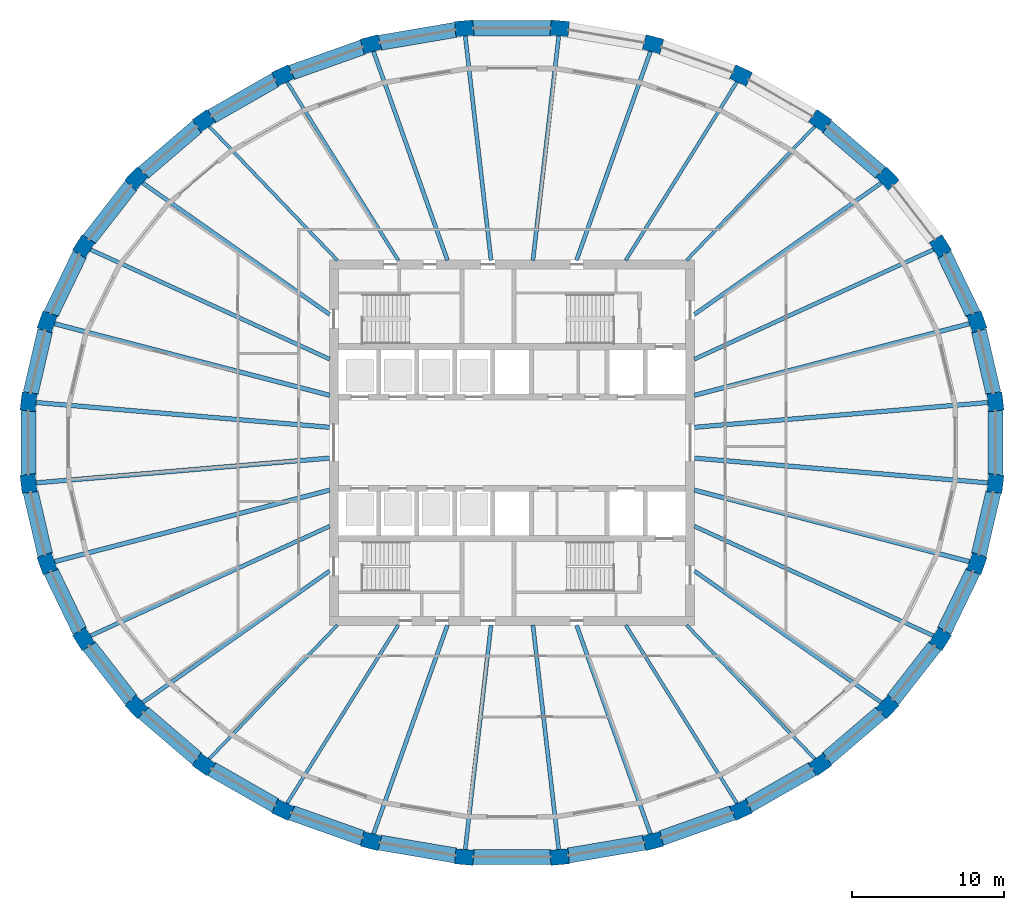
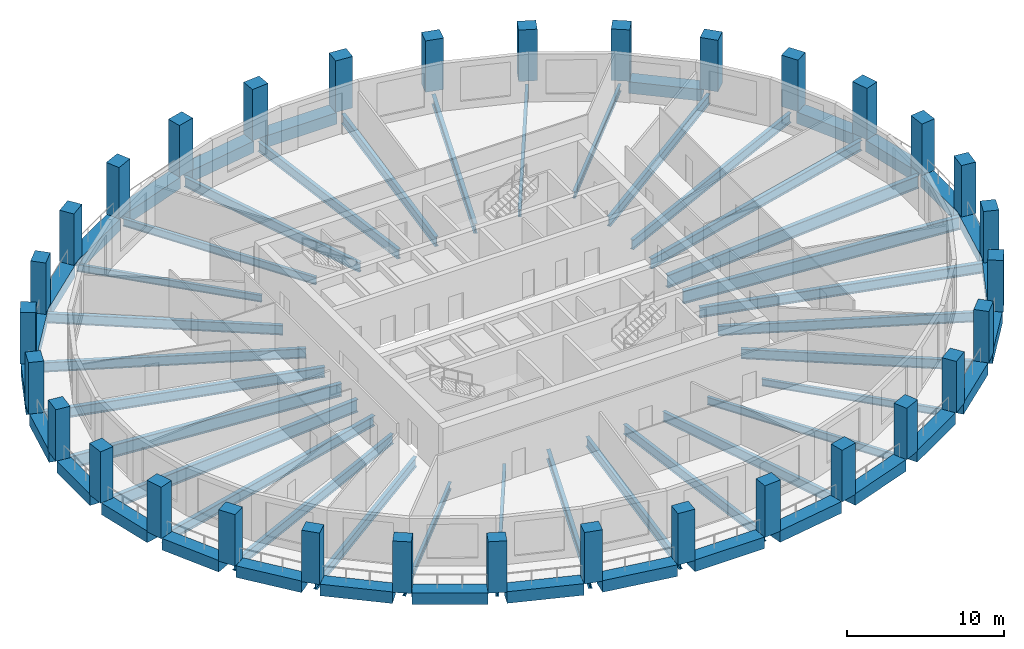
# One storey, part 1 of 11: 60 beams, 32 columns.
"""IFC4 building model written with IfcOpenShell, lengths in metres."""

from ifc_helpers import new_model, si_unit, direction, frame, origin, origin_2d, place, context, subcontext, project, spatial, rectangle, i_section, extrude, material, material_profile, profile_set, type_object, element, save


model = new_model("IFC4")

# Units and contexts
model_context = context("Model", 3, precision=1e-05, world=origin(), true_north=direction((0.0, 1.0)))
body_context = subcontext(model_context, "Body", "Model", "MODEL_VIEW")
ifc_project = project(units=[si_unit("LENGTHUNIT", "METRE"), si_unit("AREAUNIT", "SQUARE_METRE"), si_unit("VOLUMEUNIT", "CUBIC_METRE"), si_unit("PLANEANGLEUNIT", "RADIAN"), si_unit("MASSUNIT", "GRAM", prefix="KILO")], contexts=[model_context])

# Site, building, storey
site_placement = place(None, origin())
site = spatial("IfcSite", under=ifc_project, at=site_placement, CompositionType="ELEMENT")
building_placement = place(site_placement, origin())
building = spatial("IfcBuilding", under=site, at=building_placement, Name="Halqa Exchange Tower", CompositionType="ELEMENT")
storey_placement = place(building_placement, frame((0.0, 0.0, 218.89990234375)))
storey = spatial("IfcBuildingStorey", under=building, at=storey_placement, Name="L50", CompositionType="ELEMENT", Elevation=218.89990234375)

# Columns
ifc_material_1 = material(Name="Concrete C60/75", Category="concrete")
ifc_material_profile_1 = material_profile(ifc_material_1, rectangle(XDim=1.199951171875, YDim=1.0, at=origin_2d()), Name="1200 x 1000")
ifc_profile_set_1 = profile_set([ifc_material_profile_1], Name="Concrete C60/75")
column_type = type_object("IfcColumnType", Name="RC ring column 1200 x 1000 C60/75", PredefinedType="COLUMN", material=ifc_profile_set_1)
for number, where, z_axis, x_axis, name in (
    (1, (31.7412109375, 2.6796875, 0.0), (0.0, 0.0, 1.0), (-0.114156921978, 0.993462730637, 0.0), "Ring column 1"),
    (2, (30.521240234375, 7.935791015625, 0.0), (0.0, 0.0, 1.0), (-0.333625878908, 0.942705560036, 0.0), "Ring column 2"),
    (3, (28.128662109375, 12.88720703125, 0.0), (0.0, 0.0, 1.0), (-0.529144939165, 0.848531456904, 0.0), "Ring column 3"),
    (4, (24.65478515625, 17.34326171875, 0.0), (0.0, 0.0, 1.0), (-0.691574830638, 0.722304820438, 0.0), "Ring column 4"),
    (5, (20.23388671875, 21.1328125, 0.0), (0.0, 0.0, 1.0), (-0.817905775493, 0.575352189893, 0.0), "Ring column 5"),
    (6, (15.03515625, 24.110107421875, 0.0), (0.0, 0.0, 1.0), (-0.909129276708, 0.416514055265, 0.0), "Ring column 6"),
    (7, (9.258544921875, 26.1611328125, 0.0), (0.0, 0.0, 1.0), (-0.967818625157, 0.251648780643, 0.0), "Ring column 7"),
    (8, (3.126220703125, 27.206787109375, 0.0), (0.0, 0.0, 1.0), (-0.996454931683, 0.084128289675, 0.0), "Ring column 8"),
    (9, (-3.126220703125, 27.206787109375, 0.0), (0.0, 0.0, 1.0), (-0.996454931683, -0.084128289675, 0.0), "Ring column 9"),
    (10, (-9.258544921875, 26.1611328125, 0.0), (0.0, 0.0, 1.0), (-0.967818625157, -0.251648780643, 0.0), "Ring column 10"),
    (11, (-15.03515625, 24.110107421875, 0.0), (0.0, 0.0, 1.0), (-0.909129276708, -0.416514055265, 0.0), "Ring column 11"),
    (12, (-20.23388671875, 21.1328125, 0.0), (0.0, 0.0, 1.0), (-0.817905775493, -0.575352189893, 0.0), "Ring column 12"),
    (13, (-24.65478515625, 17.34326171875, 0.0), (0.0, 0.0, 1.0), (-0.691574830638, -0.722304820438, 0.0), "Ring column 13"),
    (14, (-28.128662109375, 12.88720703125, 0.0), (0.0, 0.0, 1.0), (-0.529144939165, -0.848531456904, 0.0), "Ring column 14"),
    (15, (-30.521240234375, 7.935791015625, 0.0), (0.0, 0.0, 1.0), (-0.333625878908, -0.942705560036, 0.0), "Ring column 15"),
    (16, (-31.7412109375, 2.6796875, 0.0), (0.0, 0.0, 1.0), (-0.114156921978, -0.993462730637, 0.0), "Ring column 16"),
    (17, (-31.7412109375, -2.6796875, 0.0), (0.0, 0.0, 1.0), (0.114156921978, -0.993462730637, 0.0), "Ring column 17"),
    (18, (-30.521240234375, -7.935791015625, 0.0), (0.0, 0.0, 1.0), (0.333625878908, -0.942705560036, 0.0), "Ring column 18"),
    (19, (-28.128662109375, -12.88720703125, 0.0), (0.0, 0.0, 1.0), (0.529144939165, -0.848531456904, 0.0), "Ring column 19"),
    (20, (-24.65478515625, -17.34326171875, 0.0), (0.0, 0.0, 1.0), (0.691574830638, -0.722304820438, 0.0), "Ring column 20"),
    (21, (-20.23388671875, -21.1328125, 0.0), (0.0, 0.0, 1.0), (0.817905775493, -0.575352189893, 0.0), "Ring column 21"),
    (22, (-15.03515625, -24.110107421875, 0.0), (0.0, 0.0, 1.0), (0.909129276708, -0.416514055265, 0.0), "Ring column 22"),
    (23, (-9.258544921875, -26.1611328125, 0.0), (0.0, 0.0, 1.0), (0.967818625157, -0.251648780643, 0.0), "Ring column 23"),
    (24, (-3.126220703125, -27.206787109375, 0.0), (0.0, 0.0, 1.0), (0.996454931683, -0.084128289675, 0.0), "Ring column 24"),
    (25, (3.126220703125, -27.206787109375, 0.0), (0.0, 0.0, 1.0), (0.996454931683, 0.084128289675, 0.0), "Ring column 25"),
    (26, (9.258544921875, -26.1611328125, 0.0), (0.0, 0.0, 1.0), (0.967818625157, 0.251648780643, 0.0), "Ring column 26"),
    (27, (15.03515625, -24.110107421875, 0.0), (0.0, 0.0, 1.0), (0.909129276708, 0.416514055265, 0.0), "Ring column 27"),
    (28, (20.23388671875, -21.1328125, 0.0), (0.0, 0.0, 1.0), (0.817905775493, 0.575352189893, 0.0), "Ring column 28"),
    (29, (24.65478515625, -17.34326171875, 0.0), (0.0, 0.0, 1.0), (0.691574830638, 0.722304820438, 0.0), "Ring column 29"),
    (30, (28.128662109375, -12.88720703125, 0.0), (0.0, 0.0, 1.0), (0.529144939165, 0.848531456904, 0.0), "Ring column 30"),
    (31, (30.521240234375, -7.935791015625, 0.0), (0.0, 0.0, 1.0), (0.333625878908, 0.942705560036, 0.0), "Ring column 31"),
    (32, (31.7412109375, -2.6796875, 0.0), (0.0, 0.0, 1.0), (0.114156921978, 0.993462730637, 0.0), "Ring column 32"),
):
    element("IfcColumn", number, at=place(storey_placement, frame(where, z_axis=z_axis, x_axis=x_axis)), inside=storey, type_object=column_type, Name=name, PredefinedType="COLUMN", context=body_context, shape_type="SweptSolid", body=[
        extrude(rectangle(XDim=1.199951171875, YDim=1.0, at=origin_2d()), origin(), (0.0, 0.0, 1.0), 4.0),
    ])

# Beams
ifc_material_2 = material(Name="Steel S355", Category="steel")
ifc_material_profile_2 = material_profile(ifc_material_2, i_section(OverallWidth=0.300048828125, OverallDepth=0.989990234375, WebThickness=0.0166015625, FlangeThickness=0.031005859375, FilletRadius=0.030029296875, at=origin_2d()), Name="HEA 1000")
ifc_profile_set_2 = profile_set([ifc_material_profile_2], Name="Steel S355")
beam_type_1 = type_object("IfcBeamType", Name="Floor beam HEA 1000", PredefinedType="BEAM", material=ifc_profile_set_2)
for number, where, z_axis, x_axis, name in (
    (33, (11.972412109375, 1.0107421875, -0.794921875), (0.996456098399, 0.084114469403, 0.0), (-0.084114469403, 0.996456098399, 0.0), "Radial beam 1"),
    (34, (-11.972412109375, 1.0107421875, -0.794921875), (-0.996456098399, 0.084114469403, 0.0), (-0.084114469403, -0.996456098399, 0.0), "Radial beam 16"),
    (35, (-11.972412109375, -1.0107421875, -0.794921875), (-0.996456098399, -0.084114469403, 0.0), (0.084114469403, -0.996456098399, 0.0), "Radial beam 17"),
    (36, (11.972412109375, -1.0107421875, -0.794921875), (0.996456098399, -0.084114469403, 0.0), (0.084114469403, 0.996456098399, 0.0), "Radial beam 32"),
):
    element("IfcBeam", number, at=place(storey_placement, frame(where, z_axis=z_axis, x_axis=x_axis)), inside=storey, type_object=beam_type_1, Name=name, PredefinedType="BEAM", context=body_context, shape_type="SweptSolid", body=[
        extrude(i_section(OverallWidth=0.300048828125, OverallDepth=0.989990234375, WebThickness=0.0166015625, FlangeThickness=0.031005859375, FilletRadius=0.030029296875, at=origin_2d()), origin(), (0.0, 0.0, 1.0), 19.467041015625),
    ])
ifc_material_profile_3 = material_profile(ifc_material_2, i_section(OverallWidth=0.300048828125, OverallDepth=0.7900390625, WebThickness=0.014892578125, FlangeThickness=0.028076171875, FilletRadius=0.030029296875, at=origin_2d()), Name="HEA 800")
ifc_profile_set_3 = profile_set([ifc_material_profile_3], Name="Steel S355")
beam_type_2 = type_object("IfcBeamType", Name="Floor beam HEA 800", PredefinedType="BEAM", material=ifc_profile_set_3)
for number, where, z_axis, x_axis, name in (
    (37, (11.97119140625, 3.11279296875, -0.69482421875), (0.967820861568, 0.251640179449, 0.0), (-0.251640179449, 0.967820861568, 0.0), "Radial beam 2"),
    (38, (-11.97119140625, 3.11279296875, -0.69482421875), (-0.967820861568, 0.251640179449, 0.0), (-0.251640179449, -0.967820861568, 0.0), "Radial beam 15"),
    (39, (-11.97119140625, -3.11279296875, -0.69482421875), (-0.967820861568, -0.251640179449, 0.0), (0.251640179449, -0.967820861568, 0.0), "Radial beam 18"),
    (40, (11.97119140625, -3.11279296875, -0.69482421875), (0.967820861568, -0.251640179449, 0.0), (0.251640179449, 0.967820861568, 0.0), "Radial beam 31"),
):
    element("IfcBeam", number, at=place(storey_placement, frame(where, z_axis=z_axis, x_axis=x_axis)), inside=storey, type_object=beam_type_2, Name=name, PredefinedType="BEAM", context=body_context, shape_type="SweptSolid", body=[
        extrude(i_section(OverallWidth=0.300048828125, OverallDepth=0.7900390625, WebThickness=0.014892578125, FlangeThickness=0.028076171875, FilletRadius=0.030029296875, at=origin_2d()), origin(), (0.0, 0.0, 1.0), 18.792724609375),
    ])
ifc_material_profile_4 = material_profile(ifc_material_2, i_section(OverallWidth=0.2099609375, OverallDepth=0.550048828125, WebThickness=0.010986328125, FlangeThickness=0.01708984375, FilletRadius=0.02392578125, at=origin_2d()), Name="IPE 550")
ifc_profile_set_4 = profile_set([ifc_material_profile_4], Name="Steel S355")
beam_type_3 = type_object("IfcBeamType", Name="Floor beam IPE 550", PredefinedType="BEAM", material=ifc_profile_set_4)
for number, where, z_axis, x_axis, name in (
    (41, (11.462646484375, 11.971923828125, -0.574951171875), (0.691585592551, 0.72229451623, 0.0), (-0.72229451623, 0.691585592551, 0.0), "Radial beam 5"),
    (42, (-11.462646484375, 11.971923828125, -0.574951171875), (-0.691585592551, 0.72229451623, 0.0), (-0.72229451623, -0.691585592551, 0.0), "Radial beam 12"),
    (43, (-11.462646484375, -11.971923828125, -0.574951171875), (-0.691585592551, -0.72229451623, 0.0), (0.72229451623, -0.691585592551, 0.0), "Radial beam 21"),
    (44, (11.462646484375, -11.971923828125, -0.574951171875), (0.691585592551, -0.72229451623, 0.0), (0.72229451623, 0.691585592551, 0.0), "Radial beam 28"),
):
    element("IfcBeam", number, at=place(storey_placement, frame(where, z_axis=z_axis, x_axis=x_axis)), inside=storey, type_object=beam_type_3, Name=name, PredefinedType="BEAM", context=body_context, shape_type="SweptSolid", body=[
        extrude(i_section(OverallWidth=0.2099609375, OverallDepth=0.550048828125, WebThickness=0.010986328125, FlangeThickness=0.01708984375, FilletRadius=0.02392578125, at=origin_2d()), origin(), (0.0, 0.0, 1.0), 12.306884765625),
    ])
ifc_material_profile_5 = material_profile(ifc_material_2, i_section(OverallWidth=0.219970703125, OverallDepth=0.60009765625, WebThickness=0.011962890625, FlangeThickness=0.01904296875, FilletRadius=0.02392578125, at=origin_2d()), Name="IPE 600")
ifc_profile_set_5 = profile_set([ifc_material_profile_5], Name="Steel S355")
beam_type_4 = type_object("IfcBeamType", Name="Floor beam IPE 600", PredefinedType="BEAM", material=ifc_profile_set_5)
for number, where, z_axis, x_axis, name in (
    (45, (7.466064453125, 11.972412109375, -0.599853515625), (0.529138411563, 0.848535527487, 0.0), (-0.848535527487, 0.529138411563, 0.0), "Radial beam 6"),
    (46, (-7.466064453125, 11.972412109375, -0.599853515625), (-0.529138411563, 0.848535527487, 0.0), (-0.848535527487, -0.529138411563, 0.0), "Radial beam 11"),
    (47, (-7.466064453125, -11.972412109375, -0.599853515625), (-0.529138411563, -0.848535527487, 0.0), (0.848535527487, -0.529138411563, 0.0), "Radial beam 22"),
    (48, (7.466064453125, -11.972412109375, -0.599853515625), (0.529138411563, -0.848535527487, 0.0), (0.848535527487, 0.529138411563, 0.0), "Radial beam 27"),
):
    element("IfcBeam", number, at=place(storey_placement, frame(where, z_axis=z_axis, x_axis=x_axis)), inside=storey, type_object=beam_type_4, Name=name, PredefinedType="BEAM", context=body_context, shape_type="SweptSolid", body=[
        extrude(i_section(OverallWidth=0.219970703125, OverallDepth=0.60009765625, WebThickness=0.011962890625, FlangeThickness=0.01904296875, FilletRadius=0.02392578125, at=origin_2d()), origin(), (0.0, 0.0, 1.0), 13.928466796875),
    ])
ifc_material_profile_6 = material_profile(ifc_material_2, i_section(OverallWidth=0.264892578125, OverallDepth=0.7529296875, WebThickness=0.01318359375, FlangeThickness=0.01708984375, FilletRadius=0.01708984375, at=origin_2d()), Name="IPE 750x147")
ifc_profile_set_6 = profile_set([ifc_material_profile_6], Name="Steel S355")
beam_type_5 = type_object("IfcBeamType", Name="Floor beam IPE 750x147", PredefinedType="BEAM", material=ifc_profile_set_6)
beam_1_placement = place(storey_placement, frame((11.972412109375, 5.485107421875, -0.676513671875), z_axis=(0.909123289246, 0.416527123908, 0.0), x_axis=(-0.416527123908, 0.909123289246, 0.0)))
element("IfcBeam", 49, at=beam_1_placement, inside=storey, type_object=beam_type_5, Name="Radial beam 3", PredefinedType="BEAM", context=body_context, shape_type="SweptSolid", body=[
    extrude(i_section(OverallWidth=0.264892578125, OverallDepth=0.7529296875, WebThickness=0.01318359375, FlangeThickness=0.01708984375, FilletRadius=0.01708984375, at=origin_2d()), origin(), (0.0, 0.0, 1.0), 17.395263671875),
])
beam_2_placement = place(storey_placement, frame((11.97216796875, 8.421630859375, -0.676513671875), z_axis=(0.817905412654, 0.575352705696, 0.0), x_axis=(-0.575352705696, 0.817905412654, 0.0)))
element("IfcBeam", 50, at=beam_2_placement, inside=storey, type_object=beam_type_5, Name="Radial beam 4", PredefinedType="BEAM", context=body_context, shape_type="SweptSolid", body=[
    extrude(i_section(OverallWidth=0.264892578125, OverallDepth=0.7529296875, WebThickness=0.01318359375, FlangeThickness=0.01708984375, FilletRadius=0.01708984375, at=origin_2d()), origin(), (0.0, 0.0, 1.0), 15.13037109375),
])
beam_3_placement = place(storey_placement, frame((4.23681640625, 11.9716796875, -0.676513671875), z_axis=(0.333629137418, 0.942704406835, 0.0), x_axis=(-0.942704406835, 0.333629137418, 0.0)))
element("IfcBeam", 51, at=beam_3_placement, inside=storey, type_object=beam_type_5, Name="Radial beam 7", PredefinedType="BEAM", context=body_context, shape_type="SweptSolid", body=[
    extrude(i_section(OverallWidth=0.264892578125, OverallDepth=0.7529296875, WebThickness=0.01318359375, FlangeThickness=0.01708984375, FilletRadius=0.01708984375, at=origin_2d()), origin(), (0.0, 0.0, 1.0), 14.677978515625),
])
for number, where, z_axis, x_axis, name in (
    (52, (1.375732421875, 11.972900390625, -0.676513671875), (0.114155871947, 0.993462851293, 0.0), (-0.993462851293, 0.114155871947, 0.0), "Radial beam 8"),
    (53, (-1.375732421875, 11.972900390625, -0.676513671875), (-0.114155871947, 0.993462851293, 0.0), (-0.993462851293, -0.114155871947, 0.0), "Radial beam 9"),
):
    element("IfcBeam", number, at=place(storey_placement, frame(where, z_axis=z_axis, x_axis=x_axis)), inside=storey, type_object=beam_type_5, Name=name, PredefinedType="BEAM", context=body_context, shape_type="SweptSolid", body=[
        extrude(i_section(OverallWidth=0.264892578125, OverallDepth=0.7529296875, WebThickness=0.01318359375, FlangeThickness=0.01708984375, FilletRadius=0.01708984375, at=origin_2d()), origin(), (0.0, 0.0, 1.0), 14.962158203125),
    ])
beam_4_placement = place(storey_placement, frame((-4.23681640625, 11.9716796875, -0.676513671875), z_axis=(-0.333629137418, 0.942704406835, 0.0), x_axis=(-0.942704406835, -0.333629137418, 0.0)))
element("IfcBeam", 54, at=beam_4_placement, inside=storey, type_object=beam_type_5, Name="Radial beam 10", PredefinedType="BEAM", context=body_context, shape_type="SweptSolid", body=[
    extrude(i_section(OverallWidth=0.264892578125, OverallDepth=0.7529296875, WebThickness=0.01318359375, FlangeThickness=0.01708984375, FilletRadius=0.01708984375, at=origin_2d()), origin(), (0.0, 0.0, 1.0), 14.677978515625),
])
beam_5_placement = place(storey_placement, frame((-11.97216796875, 8.421630859375, -0.676513671875), z_axis=(-0.817905412654, 0.575352705696, 0.0), x_axis=(-0.575352705696, -0.817905412654, 0.0)))
element("IfcBeam", 55, at=beam_5_placement, inside=storey, type_object=beam_type_5, Name="Radial beam 13", PredefinedType="BEAM", context=body_context, shape_type="SweptSolid", body=[
    extrude(i_section(OverallWidth=0.264892578125, OverallDepth=0.7529296875, WebThickness=0.01318359375, FlangeThickness=0.01708984375, FilletRadius=0.01708984375, at=origin_2d()), origin(), (0.0, 0.0, 1.0), 15.13037109375),
])
for number, where, z_axis, x_axis, name in (
    (56, (-11.972412109375, 5.485107421875, -0.676513671875), (-0.909123289246, 0.416527123908, 0.0), (-0.416527123908, -0.909123289246, 0.0), "Radial beam 14"),
    (57, (-11.972412109375, -5.485107421875, -0.676513671875), (-0.909123289246, -0.416527123908, 0.0), (0.416527123908, -0.909123289246, 0.0), "Radial beam 19"),
):
    element("IfcBeam", number, at=place(storey_placement, frame(where, z_axis=z_axis, x_axis=x_axis)), inside=storey, type_object=beam_type_5, Name=name, PredefinedType="BEAM", context=body_context, shape_type="SweptSolid", body=[
        extrude(i_section(OverallWidth=0.264892578125, OverallDepth=0.7529296875, WebThickness=0.01318359375, FlangeThickness=0.01708984375, FilletRadius=0.01708984375, at=origin_2d()), origin(), (0.0, 0.0, 1.0), 17.395263671875),
    ])
beam_6_placement = place(storey_placement, frame((-11.97216796875, -8.421630859375, -0.676513671875), z_axis=(-0.817905412654, -0.575352705696, 0.0), x_axis=(0.575352705696, -0.817905412654, 0.0)))
element("IfcBeam", 58, at=beam_6_placement, inside=storey, type_object=beam_type_5, Name="Radial beam 20", PredefinedType="BEAM", context=body_context, shape_type="SweptSolid", body=[
    extrude(i_section(OverallWidth=0.264892578125, OverallDepth=0.7529296875, WebThickness=0.01318359375, FlangeThickness=0.01708984375, FilletRadius=0.01708984375, at=origin_2d()), origin(), (0.0, 0.0, 1.0), 15.13037109375),
])
beam_7_placement = place(storey_placement, frame((-4.23681640625, -11.9716796875, -0.676513671875), z_axis=(-0.333629137418, -0.942704406835, 0.0), x_axis=(0.942704406835, -0.333629137418, 0.0)))
element("IfcBeam", 59, at=beam_7_placement, inside=storey, type_object=beam_type_5, Name="Radial beam 23", PredefinedType="BEAM", context=body_context, shape_type="SweptSolid", body=[
    extrude(i_section(OverallWidth=0.264892578125, OverallDepth=0.7529296875, WebThickness=0.01318359375, FlangeThickness=0.01708984375, FilletRadius=0.01708984375, at=origin_2d()), origin(), (0.0, 0.0, 1.0), 14.677978515625),
])
for number, where, z_axis, x_axis, name in (
    (60, (-1.375732421875, -11.972900390625, -0.676513671875), (-0.114155871947, -0.993462851293, 0.0), (0.993462851293, -0.114155871947, 0.0), "Radial beam 24"),
    (61, (1.375732421875, -11.972900390625, -0.676513671875), (0.114155871947, -0.993462851293, 0.0), (0.993462851293, 0.114155871947, 0.0), "Radial beam 25"),
):
    element("IfcBeam", number, at=place(storey_placement, frame(where, z_axis=z_axis, x_axis=x_axis)), inside=storey, type_object=beam_type_5, Name=name, PredefinedType="BEAM", context=body_context, shape_type="SweptSolid", body=[
        extrude(i_section(OverallWidth=0.264892578125, OverallDepth=0.7529296875, WebThickness=0.01318359375, FlangeThickness=0.01708984375, FilletRadius=0.01708984375, at=origin_2d()), origin(), (0.0, 0.0, 1.0), 14.962158203125),
    ])
beam_8_placement = place(storey_placement, frame((4.23681640625, -11.9716796875, -0.676513671875), z_axis=(0.333629137418, -0.942704406835, 0.0), x_axis=(0.942704406835, 0.333629137418, 0.0)))
element("IfcBeam", 62, at=beam_8_placement, inside=storey, type_object=beam_type_5, Name="Radial beam 26", PredefinedType="BEAM", context=body_context, shape_type="SweptSolid", body=[
    extrude(i_section(OverallWidth=0.264892578125, OverallDepth=0.7529296875, WebThickness=0.01318359375, FlangeThickness=0.01708984375, FilletRadius=0.01708984375, at=origin_2d()), origin(), (0.0, 0.0, 1.0), 14.677978515625),
])
beam_9_placement = place(storey_placement, frame((11.97216796875, -8.421630859375, -0.676513671875), z_axis=(0.817905412654, -0.575352705696, 0.0), x_axis=(0.575352705696, 0.817905412654, 0.0)))
element("IfcBeam", 63, at=beam_9_placement, inside=storey, type_object=beam_type_5, Name="Radial beam 29", PredefinedType="BEAM", context=body_context, shape_type="SweptSolid", body=[
    extrude(i_section(OverallWidth=0.264892578125, OverallDepth=0.7529296875, WebThickness=0.01318359375, FlangeThickness=0.01708984375, FilletRadius=0.01708984375, at=origin_2d()), origin(), (0.0, 0.0, 1.0), 15.13037109375),
])
beam_10_placement = place(storey_placement, frame((11.972412109375, -5.485107421875, -0.676513671875), z_axis=(0.909123289246, -0.416527123908, 0.0), x_axis=(0.416527123908, 0.909123289246, 0.0)))
element("IfcBeam", 64, at=beam_10_placement, inside=storey, type_object=beam_type_5, Name="Radial beam 30", PredefinedType="BEAM", context=body_context, shape_type="SweptSolid", body=[
    extrude(i_section(OverallWidth=0.264892578125, OverallDepth=0.7529296875, WebThickness=0.01318359375, FlangeThickness=0.01708984375, FilletRadius=0.01708984375, at=origin_2d()), origin(), (0.0, 0.0, 1.0), 17.395263671875),
])
ifc_material_profile_7 = material_profile(ifc_material_1, rectangle(XDim=1.0, YDim=0.89990234375, at=origin_2d()), Name="1000 x 900")
ifc_profile_set_7 = profile_set([ifc_material_profile_7], Name="Concrete C60/75")
beam_type_6 = type_object("IfcBeamType", Name="RC spandrel beam 1000 x 900 C60/75", PredefinedType="SPANDREL", material=ifc_profile_set_7)
beam_11_placement = place(storey_placement, frame((31.61083984375, 3.240966796875, -0.449951171875), z_axis=(-0.226081944546, 0.974108286768, 0.0), x_axis=(-0.974108286768, -0.226081944546, 0.0)))
element("IfcBeam", 65, at=beam_11_placement, inside=storey, type_object=beam_type_6, Name="Spandrel 1", PredefinedType="SPANDREL", context=body_context, shape_type="SweptSolid", body=[
    extrude(rectangle(XDim=1.0, YDim=0.89990234375, at=origin_2d()), origin(), (0.0, 0.0, 1.0), 4.243896484375),
])
beam_12_placement = place(storey_placement, frame((30.271240234375, 8.453369140625, -0.449951171875), z_axis=(-0.435091293077, 0.900386343015, 0.0), x_axis=(-0.900386343015, -0.435091293077, 0.0)))
element("IfcBeam", 66, at=beam_12_placement, inside=storey, type_object=beam_type_6, Name="Spandrel 2", PredefinedType="SPANDREL", context=body_context, shape_type="SweptSolid", body=[
    extrude(rectangle(XDim=1.0, YDim=0.89990234375, at=origin_2d()), origin(), (0.0, 0.0, 1.0), 4.3486328125),
])
beam_13_placement = place(storey_placement, frame((24.21923828125, 17.716552734375, -0.449951171875), z_axis=(-0.759260288888, 0.650787072488, 0.0), x_axis=(-0.650787072488, -0.759260288888, 0.0)))
element("IfcBeam", 67, at=beam_13_placement, inside=storey, type_object=beam_type_6, Name="Spandrel 4", PredefinedType="SPANDREL", context=body_context, shape_type="SweptSolid", body=[
    extrude(rectangle(XDim=1.0, YDim=0.89990234375, at=origin_2d()), origin(), (0.0, 0.0, 1.0), 4.6748046875),
])
beam_14_placement = place(storey_placement, frame((2.552734375, 27.206787109375, -0.449951171875), z_axis=(-1.0, 0.0, 0.0), x_axis=(0.0, -1.0, 0.0)))
element("IfcBeam", 68, at=beam_14_placement, inside=storey, type_object=beam_type_6, Name="Spandrel 8", PredefinedType="SPANDREL", context=body_context, shape_type="SweptSolid", body=[
    extrude(rectangle(XDim=1.0, YDim=0.89990234375, at=origin_2d()), origin(), (0.0, 0.0, 1.0), 5.10546875),
])
beam_15_placement = place(storey_placement, frame((-3.69189453125, 27.1103515625, -0.449951171875), z_axis=(-0.985769121581, -0.168104845076, 0.0), x_axis=(0.168104845076, -0.985769121581, 0.0)))
element("IfcBeam", 69, at=beam_15_placement, inside=storey, type_object=beam_type_6, Name="Spandrel 9", PredefinedType="SPANDREL", context=body_context, shape_type="SweptSolid", body=[
    extrude(rectangle(XDim=1.0, YDim=0.89990234375, at=origin_2d()), origin(), (0.0, 0.0, 1.0), 5.072998046875),
])
beam_16_placement = place(storey_placement, frame((-9.800048828125, 25.96875, -0.449951171875), z_axis=(-0.942368939802, -0.334575524054, 0.0), x_axis=(0.334575524054, -0.942368939802, 0.0)))
element("IfcBeam", 70, at=beam_16_placement, inside=storey, type_object=beam_type_6, Name="Spandrel 10", PredefinedType="SPANDREL", context=body_context, shape_type="SweptSolid", body=[
    extrude(rectangle(XDim=1.0, YDim=0.89990234375, at=origin_2d()), origin(), (0.0, 0.0, 1.0), 4.981689453125),
])
beam_17_placement = place(storey_placement, frame((-15.533447265625, 23.82470703125, -0.449951171875), z_axis=(-0.867767943929, -0.49696961224, 0.0), x_axis=(0.49696961224, -0.867767943929, 0.0)))
element("IfcBeam", 71, at=beam_17_placement, inside=storey, type_object=beam_type_6, Name="Spandrel 11", PredefinedType="SPANDREL", context=body_context, shape_type="SweptSolid", body=[
    extrude(rectangle(XDim=1.0, YDim=0.89990234375, at=origin_2d()), origin(), (0.0, 0.0, 1.0), 4.84130859375),
])
beam_18_placement = place(storey_placement, frame((-20.669921875, 20.7587890625, -0.449951171875), z_axis=(-0.759260288888, -0.650787072488, 0.0), x_axis=(0.650787072488, -0.759260288888, 0.0)))
element("IfcBeam", 72, at=beam_18_placement, inside=storey, type_object=beam_type_6, Name="Spandrel 12", PredefinedType="SPANDREL", context=body_context, shape_type="SweptSolid", body=[
    extrude(rectangle(XDim=1.0, YDim=0.89990234375, at=origin_2d()), origin(), (0.0, 0.0, 1.0), 4.6748046875),
])
beam_19_placement = place(storey_placement, frame((-25.008544921875, 16.8896484375, -0.449951171875), z_axis=(-0.614807814893, -0.788676962226, 0.0), x_axis=(0.788676962226, -0.614807814893, 0.0)))
element("IfcBeam", 73, at=beam_19_placement, inside=storey, type_object=beam_type_6, Name="Spandrel 13", PredefinedType="SPANDREL", context=body_context, shape_type="SweptSolid", body=[
    extrude(rectangle(XDim=1.0, YDim=0.89990234375, at=origin_2d()), origin(), (0.0, 0.0, 1.0), 4.500244140625),
])
beam_20_placement = place(storey_placement, frame((-28.379150390625, 12.368896484375, -0.449951171875), z_axis=(-0.435091293077, -0.900386343015, 0.0), x_axis=(0.900386343015, -0.435091293077, 0.0)))
element("IfcBeam", 74, at=beam_20_placement, inside=storey, type_object=beam_type_6, Name="Spandrel 14", PredefinedType="SPANDREL", context=body_context, shape_type="SweptSolid", body=[
    extrude(rectangle(XDim=1.0, YDim=0.89990234375, at=origin_2d()), origin(), (0.0, 0.0, 1.0), 4.3486328125),
])
beam_21_placement = place(storey_placement, frame((-30.6513671875, 7.375, -0.449951171875), z_axis=(-0.226081944546, -0.974108286768, 0.0), x_axis=(0.974108286768, -0.226081944546, 0.0)))
element("IfcBeam", 75, at=beam_21_placement, inside=storey, type_object=beam_type_6, Name="Spandrel 15", PredefinedType="SPANDREL", context=body_context, shape_type="SweptSolid", body=[
    extrude(rectangle(XDim=1.0, YDim=0.89990234375, at=origin_2d()), origin(), (0.0, 0.0, 1.0), 4.243896484375),
])
beam_22_placement = place(storey_placement, frame((-31.7412109375, 2.102783203125, -0.449951171875), z_axis=(0.0, -1.0, 0.0), x_axis=(1.0, 0.0, 0.0)))
element("IfcBeam", 76, at=beam_22_placement, inside=storey, type_object=beam_type_6, Name="Spandrel 16", PredefinedType="SPANDREL", context=body_context, shape_type="SweptSolid", body=[
    extrude(rectangle(XDim=1.0, YDim=0.89990234375, at=origin_2d()), origin(), (0.0, 0.0, 1.0), 4.20556640625),
])
beam_23_placement = place(storey_placement, frame((-31.61083984375, -3.240966796875, -0.449951171875), z_axis=(0.226081944546, -0.974108286768, 0.0), x_axis=(0.974108286768, 0.226081944546, 0.0)))
element("IfcBeam", 77, at=beam_23_placement, inside=storey, type_object=beam_type_6, Name="Spandrel 17", PredefinedType="SPANDREL", context=body_context, shape_type="SweptSolid", body=[
    extrude(rectangle(XDim=1.0, YDim=0.89990234375, at=origin_2d()), origin(), (0.0, 0.0, 1.0), 4.243896484375),
])
beam_24_placement = place(storey_placement, frame((-30.271240234375, -8.453369140625, -0.449951171875), z_axis=(0.435091293077, -0.900386343015, 0.0), x_axis=(0.900386343015, 0.435091293077, 0.0)))
element("IfcBeam", 78, at=beam_24_placement, inside=storey, type_object=beam_type_6, Name="Spandrel 18", PredefinedType="SPANDREL", context=body_context, shape_type="SweptSolid", body=[
    extrude(rectangle(XDim=1.0, YDim=0.89990234375, at=origin_2d()), origin(), (0.0, 0.0, 1.0), 4.3486328125),
])
beam_25_placement = place(storey_placement, frame((-27.775390625, -13.34033203125, -0.449951171875), z_axis=(0.614807814893, -0.788676962226, 0.0), x_axis=(0.788676962226, 0.614807814893, 0.0)))
element("IfcBeam", 79, at=beam_25_placement, inside=storey, type_object=beam_type_6, Name="Spandrel 19", PredefinedType="SPANDREL", context=body_context, shape_type="SweptSolid", body=[
    extrude(rectangle(XDim=1.0, YDim=0.89990234375, at=origin_2d()), origin(), (0.0, 0.0, 1.0), 4.500244140625),
])
beam_26_placement = place(storey_placement, frame((-24.21923828125, -17.716552734375, -0.449951171875), z_axis=(0.759260288888, -0.650787072488, 0.0), x_axis=(0.650787072488, 0.759260288888, 0.0)))
element("IfcBeam", 80, at=beam_26_placement, inside=storey, type_object=beam_type_6, Name="Spandrel 20", PredefinedType="SPANDREL", context=body_context, shape_type="SweptSolid", body=[
    extrude(rectangle(XDim=1.0, YDim=0.89990234375, at=origin_2d()), origin(), (0.0, 0.0, 1.0), 4.6748046875),
])
beam_27_placement = place(storey_placement, frame((-19.734619140625, -21.418701171875, -0.449951171875), z_axis=(0.867767943929, -0.49696961224, 0.0), x_axis=(0.49696961224, 0.867767943929, 0.0)))
element("IfcBeam", 81, at=beam_27_placement, inside=storey, type_object=beam_type_6, Name="Spandrel 21", PredefinedType="SPANDREL", context=body_context, shape_type="SweptSolid", body=[
    extrude(rectangle(XDim=1.0, YDim=0.89990234375, at=origin_2d()), origin(), (0.0, 0.0, 1.0), 4.84130859375),
])
beam_28_placement = place(storey_placement, frame((-14.49462890625, -24.302001953125, -0.449951171875), z_axis=(0.942368939802, -0.334575524054, 0.0), x_axis=(0.334575524054, 0.942368939802, 0.0)))
element("IfcBeam", 82, at=beam_28_placement, inside=storey, type_object=beam_type_6, Name="Spandrel 22", PredefinedType="SPANDREL", context=body_context, shape_type="SweptSolid", body=[
    extrude(rectangle(XDim=1.0, YDim=0.89990234375, at=origin_2d()), origin(), (0.0, 0.0, 1.0), 4.981689453125),
])
beam_29_placement = place(storey_placement, frame((-8.692626953125, -26.257568359375, -0.449951171875), z_axis=(0.985769121581, -0.168104845076, 0.0), x_axis=(0.168104845076, 0.985769121581, 0.0)))
element("IfcBeam", 83, at=beam_29_placement, inside=storey, type_object=beam_type_6, Name="Spandrel 23", PredefinedType="SPANDREL", context=body_context, shape_type="SweptSolid", body=[
    extrude(rectangle(XDim=1.0, YDim=0.89990234375, at=origin_2d()), origin(), (0.0, 0.0, 1.0), 5.072998046875),
])
beam_30_placement = place(storey_placement, frame((-2.552734375, -27.206787109375, -0.449951171875), z_axis=(1.0, 0.0, 0.0), x_axis=(0.0, 1.0, 0.0)))
element("IfcBeam", 84, at=beam_30_placement, inside=storey, type_object=beam_type_6, Name="Spandrel 24", PredefinedType="SPANDREL", context=body_context, shape_type="SweptSolid", body=[
    extrude(rectangle(XDim=1.0, YDim=0.89990234375, at=origin_2d()), origin(), (0.0, 0.0, 1.0), 5.10546875),
])
beam_31_placement = place(storey_placement, frame((3.69189453125, -27.1103515625, -0.449951171875), z_axis=(0.985769121581, 0.168104845076, 0.0), x_axis=(-0.168104845076, 0.985769121581, 0.0)))
element("IfcBeam", 85, at=beam_31_placement, inside=storey, type_object=beam_type_6, Name="Spandrel 25", PredefinedType="SPANDREL", context=body_context, shape_type="SweptSolid", body=[
    extrude(rectangle(XDim=1.0, YDim=0.89990234375, at=origin_2d()), origin(), (0.0, 0.0, 1.0), 5.072998046875),
])
beam_32_placement = place(storey_placement, frame((9.800048828125, -25.96875, -0.449951171875), z_axis=(0.942368939802, 0.334575524054, 0.0), x_axis=(-0.334575524054, 0.942368939802, 0.0)))
element("IfcBeam", 86, at=beam_32_placement, inside=storey, type_object=beam_type_6, Name="Spandrel 26", PredefinedType="SPANDREL", context=body_context, shape_type="SweptSolid", body=[
    extrude(rectangle(XDim=1.0, YDim=0.89990234375, at=origin_2d()), origin(), (0.0, 0.0, 1.0), 4.981689453125),
])
beam_33_placement = place(storey_placement, frame((15.533447265625, -23.82470703125, -0.449951171875), z_axis=(0.867767943929, 0.49696961224, 0.0), x_axis=(-0.49696961224, 0.867767943929, 0.0)))
element("IfcBeam", 87, at=beam_33_placement, inside=storey, type_object=beam_type_6, Name="Spandrel 27", PredefinedType="SPANDREL", context=body_context, shape_type="SweptSolid", body=[
    extrude(rectangle(XDim=1.0, YDim=0.89990234375, at=origin_2d()), origin(), (0.0, 0.0, 1.0), 4.84130859375),
])
beam_34_placement = place(storey_placement, frame((20.669921875, -20.7587890625, -0.449951171875), z_axis=(0.759260288888, 0.650787072488, 0.0), x_axis=(-0.650787072488, 0.759260288888, 0.0)))
element("IfcBeam", 88, at=beam_34_placement, inside=storey, type_object=beam_type_6, Name="Spandrel 28", PredefinedType="SPANDREL", context=body_context, shape_type="SweptSolid", body=[
    extrude(rectangle(XDim=1.0, YDim=0.89990234375, at=origin_2d()), origin(), (0.0, 0.0, 1.0), 4.6748046875),
])
beam_35_placement = place(storey_placement, frame((25.008544921875, -16.8896484375, -0.449951171875), z_axis=(0.614807814893, 0.788676962226, 0.0), x_axis=(-0.788676962226, 0.614807814893, 0.0)))
element("IfcBeam", 89, at=beam_35_placement, inside=storey, type_object=beam_type_6, Name="Spandrel 29", PredefinedType="SPANDREL", context=body_context, shape_type="SweptSolid", body=[
    extrude(rectangle(XDim=1.0, YDim=0.89990234375, at=origin_2d()), origin(), (0.0, 0.0, 1.0), 4.500244140625),
])
beam_36_placement = place(storey_placement, frame((28.379150390625, -12.368896484375, -0.449951171875), z_axis=(0.435091293077, 0.900386343015, 0.0), x_axis=(-0.900386343015, 0.435091293077, 0.0)))
element("IfcBeam", 90, at=beam_36_placement, inside=storey, type_object=beam_type_6, Name="Spandrel 30", PredefinedType="SPANDREL", context=body_context, shape_type="SweptSolid", body=[
    extrude(rectangle(XDim=1.0, YDim=0.89990234375, at=origin_2d()), origin(), (0.0, 0.0, 1.0), 4.3486328125),
])
beam_37_placement = place(storey_placement, frame((30.6513671875, -7.375, -0.449951171875), z_axis=(0.226081944546, 0.974108286768, 0.0), x_axis=(-0.974108286768, 0.226081944546, 0.0)))
element("IfcBeam", 91, at=beam_37_placement, inside=storey, type_object=beam_type_6, Name="Spandrel 31", PredefinedType="SPANDREL", context=body_context, shape_type="SweptSolid", body=[
    extrude(rectangle(XDim=1.0, YDim=0.89990234375, at=origin_2d()), origin(), (0.0, 0.0, 1.0), 4.243896484375),
])
beam_38_placement = place(storey_placement, frame((31.7412109375, -2.102783203125, -0.449951171875), z_axis=(0.0, 1.0, 0.0), x_axis=(-1.0, 0.0, 0.0)))
element("IfcBeam", 92, at=beam_38_placement, inside=storey, type_object=beam_type_6, Name="Spandrel 32", PredefinedType="SPANDREL", context=body_context, shape_type="SweptSolid", body=[
    extrude(rectangle(XDim=1.0, YDim=0.89990234375, at=origin_2d()), origin(), (0.0, 0.0, 1.0), 4.20556640625),
])

save(model, "model.ifc")
